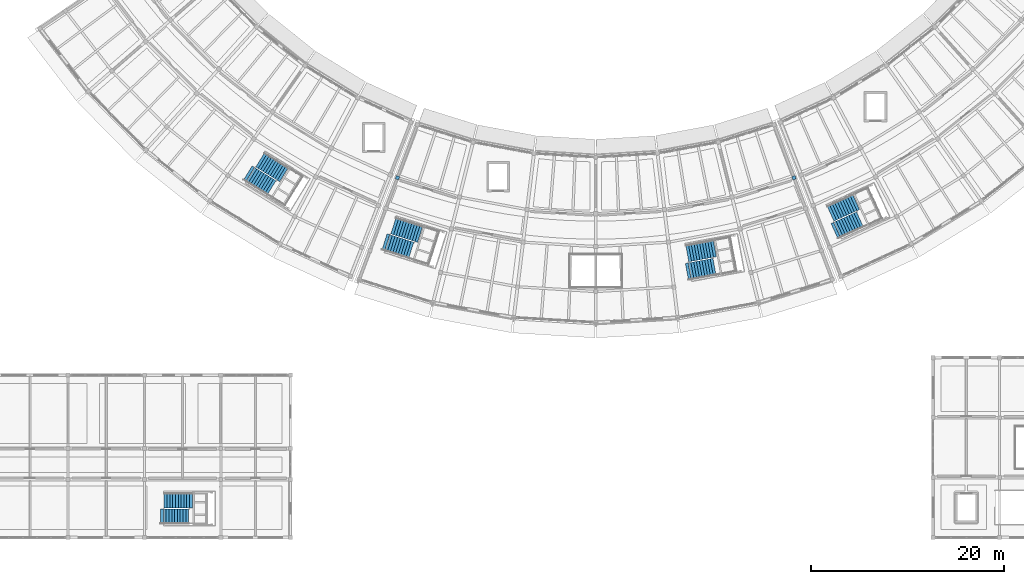
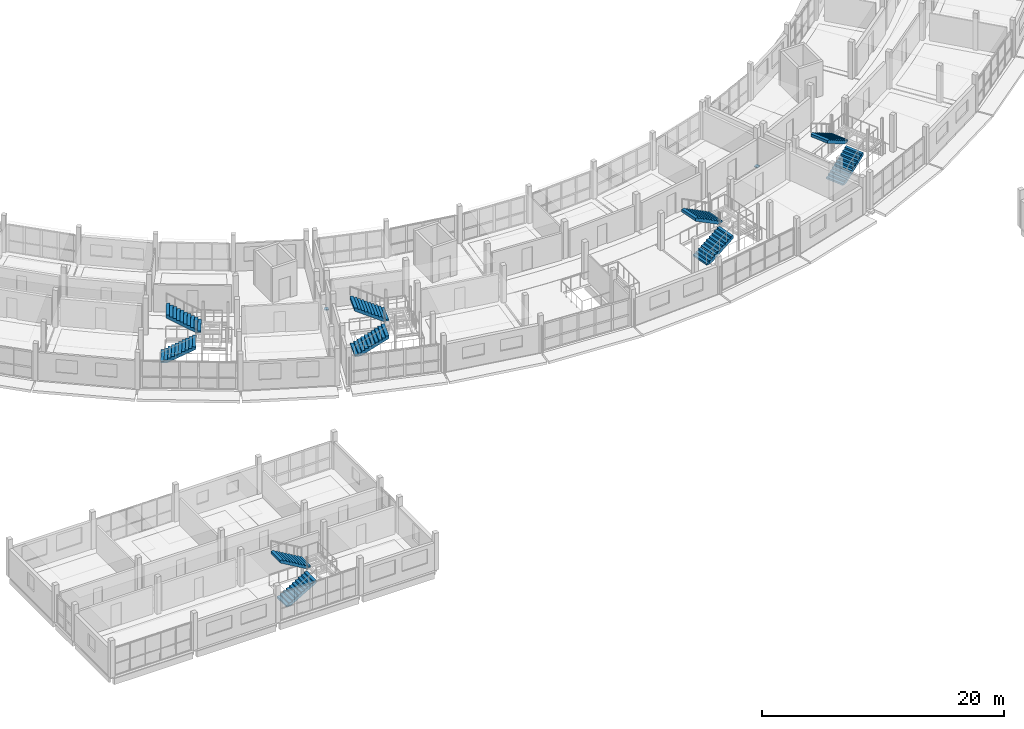
# One storey, part 64 of 77: 10 stair flights, 2 discrete accessories, 5 elements without a shape of their own.
"""IFC4 building model written with IfcOpenShell, lengths in metres."""

from ifc_helpers import new_model, si_unit, direction, frame, origin, origin_2d, place, context, subcontext, project, spatial, polyline, rectangle, outline, extrude, material, type_object, element, aggregate, save


model = new_model("IFC4")

# Units and contexts
model_context = context("Model", 3, precision=1e-05, world=origin(), true_north=direction((0.0, 1.0)))
body_context = subcontext(model_context, "Body", "Model", "MODEL_VIEW")
ifc_project = project(units=[si_unit("LENGTHUNIT", "METRE"), si_unit("AREAUNIT", "SQUARE_METRE"), si_unit("VOLUMEUNIT", "CUBIC_METRE"), si_unit("PLANEANGLEUNIT", "RADIAN"), si_unit("MASSUNIT", "GRAM", prefix="KILO")], contexts=[model_context])

# Site, building, storey
site_placement = place(None, origin())
site = spatial("IfcSite", under=ifc_project, at=site_placement, CompositionType="ELEMENT")
building_placement = place(site_placement, origin())
building = spatial("IfcBuilding", under=site, at=building_placement, Name="Caldaven Crescent School", CompositionType="ELEMENT")
storey_placement = place(building_placement, frame((0.0, 0.0, 4.419921875)))
storey = spatial("IfcBuildingStorey", under=building, at=storey_placement, Name="L01", CompositionType="ELEMENT", Elevation=4.419921875)

# Stair, stair flights
ifc_material_1 = material(Name="Precast concrete C30/37", Category="concrete")
stair_type_1 = type_object("IfcStairType", Name="STR-S3", PredefinedType="TWO_STRAIGHT_RUN_STAIR", material=ifc_material_1)
stair_1_placement = place(storey_placement, origin())
stair_1 = element("IfcStair", 1, at=stair_1_placement, inside=storey, type_object=stair_type_1, Name="STAIR-STV4S-L01", PredefinedType="TWO_STRAIGHT_RUN_STAIR")
stair_flight_type_1 = type_object("IfcStairFlightType", Name="STF-F3", PredefinedType="STRAIGHT", material=ifc_material_1)
stair_flight_1_placement = place(storey_placement, frame((42.969970703125, 6.375, 0.0), z_axis=(0.0, 0.0, 1.0), x_axis=(1.0, 0.0, 0.0)))
stair_flight_1 = element("IfcStairFlight", 2, at=stair_flight_1_placement, type_object=stair_flight_type_1, Name="STV4S-L01 flight 1", NumberOfRisers=11, NumberOfTreads=10, PredefinedType="STRAIGHT", RiserHeight=0.17, TreadLength=0.29, context=body_context, shape_type="SweptSolid", body=[
    extrude(outline(polyline([(0.0, 0.0), (0.0, 0.169921875), (0.2900390625, 0.169921875), (0.2900390625, 0.340087890625), (0.580078125, 0.340087890625), (0.580078125, 0.510009765625), (0.8701171875, 0.510009765625), (0.8701171875, 0.679931640625), (1.159912109375, 0.679931640625), (1.159912109375, 0.85009765625), (1.449951171875, 0.85009765625), (1.449951171875, 1.02001953125), (1.739990234375, 1.02001953125), (1.739990234375, 1.18994140625), (2.030029296875, 1.18994140625), (2.030029296875, 1.360107421875), (2.320068359375, 1.360107421875), (2.320068359375, 1.530029296875), (2.610107421875, 1.530029296875), (2.610107421875, 1.699951171875), (2.89990234375, 1.699951171875), (2.89990234375, 1.8701171875), (2.89990234375, 1.440185546875), (0.443115234375, 0.0), (0.0, 0.0)])), frame((0.0, 0.77490234375, 0.0), z_axis=(0.0, -1.0, 0.0), x_axis=(1.0, 0.0, 0.0)), (0.0, 0.0, 1.0), 1.550048828125),
])
stair_flight_2_placement = place(storey_placement, frame((46.25, 8.02490234375, 1.8701171875), z_axis=(0.0, 0.0, 1.0), x_axis=(-1.0, 0.0, 0.0)))
stair_flight_2 = element("IfcStairFlight", 3, at=stair_flight_2_placement, type_object=stair_flight_type_1, Name="STV4S-L01 flight 2", NumberOfRisers=11, NumberOfTreads=10, PredefinedType="STRAIGHT", RiserHeight=0.17, TreadLength=0.29, context=body_context, shape_type="SweptSolid", body=[
    extrude(outline(polyline([(0.0, 0.0), (0.0, 0.169921875), (0.2900390625, 0.169921875), (0.2900390625, 0.340087890625), (0.580078125, 0.340087890625), (0.580078125, 0.510009765625), (0.8701171875, 0.510009765625), (0.8701171875, 0.679931640625), (1.159912109375, 0.679931640625), (1.159912109375, 0.85009765625), (1.449951171875, 0.85009765625), (1.449951171875, 1.02001953125), (1.739990234375, 1.02001953125), (1.739990234375, 1.18994140625), (2.030029296875, 1.18994140625), (2.030029296875, 1.360107421875), (2.320068359375, 1.360107421875), (2.320068359375, 1.530029296875), (2.610107421875, 1.530029296875), (2.610107421875, 1.699951171875), (2.89990234375, 1.699951171875), (2.89990234375, 1.8701171875), (2.89990234375, 1.440185546875), (0.443115234375, 0.0), (0.0, 0.0)])), frame((0.0, 0.77490234375, 0.0), z_axis=(0.0, -1.0, 0.0), x_axis=(1.0, 0.0, 0.0)), (0.0, 0.0, 1.0), 1.550048828125),
])
aggregate(stair_1, [stair_flight_1, stair_flight_2])

stair_type_2 = type_object("IfcStairType", Name="STR-S5", PredefinedType="TWO_STRAIGHT_RUN_STAIR", material=ifc_material_1)
stair_2_placement = place(storey_placement, origin())
stair_2 = element("IfcStair", 4, at=stair_2_placement, inside=storey, type_object=stair_type_2, Name="STAIR-ST1-L01", PredefinedType="TWO_STRAIGHT_RUN_STAIR")
stair_flight_type_2 = type_object("IfcStairFlightType", Name="STF-F5", PredefinedType="STRAIGHT", material=ifc_material_1)
stair_flight_3_placement = place(storey_placement, frame((51.99365234375, 41.9130859375, 0.0), z_axis=(0.0, 0.0, 1.0), x_axis=(0.852640164354, -0.522498564716, 0.0)))
stair_flight_3 = element("IfcStairFlight", 5, at=stair_flight_3_placement, type_object=stair_flight_type_2, Name="ST1-L01 flight 1", NumberOfRisers=11, NumberOfTreads=10, PredefinedType="STRAIGHT", RiserHeight=0.17, TreadLength=0.29, context=body_context, shape_type="SweptSolid", body=[
    extrude(outline(polyline([(0.0, 0.0), (0.0, 0.169921875), (0.2900390625, 0.169921875), (0.2900390625, 0.340087890625), (0.580078125, 0.340087890625), (0.580078125, 0.510009765625), (0.8701171875, 0.510009765625), (0.8701171875, 0.679931640625), (1.159912109375, 0.679931640625), (1.159912109375, 0.85009765625), (1.449951171875, 0.85009765625), (1.449951171875, 1.02001953125), (1.739990234375, 1.02001953125), (1.739990234375, 1.18994140625), (2.030029296875, 1.18994140625), (2.030029296875, 1.360107421875), (2.320068359375, 1.360107421875), (2.320068359375, 1.530029296875), (2.610107421875, 1.530029296875), (2.610107421875, 1.699951171875), (2.89990234375, 1.699951171875), (2.89990234375, 1.8701171875), (2.89990234375, 1.421875), (0.474609375, 0.0), (0.0, 0.0)])), frame((0.0, 0.85986328125, 0.0), z_axis=(0.0, -1.0, 0.0), x_axis=(1.0, 0.0, 0.0)), (0.0, 0.0, 1.0), 1.719970703125),
])
stair_flight_4_placement = place(storey_placement, frame((55.7412109375, 41.7509765625, 1.8701171875), z_axis=(0.0, 0.0, 1.0), x_axis=(-0.852640164354, 0.522498564716, 0.0)))
stair_flight_4 = element("IfcStairFlight", 6, at=stair_flight_4_placement, type_object=stair_flight_type_2, Name="ST1-L01 flight 2", NumberOfRisers=11, NumberOfTreads=10, PredefinedType="STRAIGHT", RiserHeight=0.17, TreadLength=0.29, context=body_context, shape_type="SweptSolid", body=[
    extrude(outline(polyline([(0.0, 0.0), (0.0, 0.169921875), (0.2900390625, 0.169921875), (0.2900390625, 0.340087890625), (0.580078125, 0.340087890625), (0.580078125, 0.510009765625), (0.8701171875, 0.510009765625), (0.8701171875, 0.679931640625), (1.159912109375, 0.679931640625), (1.159912109375, 0.85009765625), (1.449951171875, 0.85009765625), (1.449951171875, 1.02001953125), (1.739990234375, 1.02001953125), (1.739990234375, 1.18994140625), (2.030029296875, 1.18994140625), (2.030029296875, 1.360107421875), (2.320068359375, 1.360107421875), (2.320068359375, 1.530029296875), (2.610107421875, 1.530029296875), (2.610107421875, 1.699951171875), (2.89990234375, 1.699951171875), (2.89990234375, 1.8701171875), (2.89990234375, 1.421875), (0.474609375, 0.0), (0.0, 0.0)])), frame((0.0, 0.85986328125, 0.0), z_axis=(0.0, -1.0, 0.0), x_axis=(1.0, 0.0, 0.0)), (0.0, 0.0, 1.0), 1.719970703125),
])
aggregate(stair_2, [stair_flight_3, stair_flight_4])

stair_3_placement = place(storey_placement, origin())
stair_3 = element("IfcStair", 7, at=stair_3_placement, inside=storey, type_object=stair_type_2, Name="STAIR-ST4-L01", PredefinedType="TWO_STRAIGHT_RUN_STAIR")
stair_flight_5_placement = place(storey_placement, frame((112.705810546875, 35.904296875, 0.0), z_axis=(0.0, 0.0, 1.0), x_axis=(0.909961270877, 0.414693242656, 0.0)))
stair_flight_5 = element("IfcStairFlight", 8, at=stair_flight_5_placement, type_object=stair_flight_type_2, Name="ST4-L01 flight 1", NumberOfRisers=11, NumberOfTreads=10, PredefinedType="STRAIGHT", RiserHeight=0.17, TreadLength=0.29, context=body_context, shape_type="SweptSolid", body=[
    extrude(outline(polyline([(0.0, 0.0), (0.0, 0.169921875), (0.2900390625, 0.169921875), (0.2900390625, 0.340087890625), (0.580078125, 0.340087890625), (0.580078125, 0.510009765625), (0.8701171875, 0.510009765625), (0.8701171875, 0.679931640625), (1.159912109375, 0.679931640625), (1.159912109375, 0.85009765625), (1.449951171875, 0.85009765625), (1.449951171875, 1.02001953125), (1.739990234375, 1.02001953125), (1.739990234375, 1.18994140625), (2.030029296875, 1.18994140625), (2.030029296875, 1.360107421875), (2.320068359375, 1.360107421875), (2.320068359375, 1.530029296875), (2.610107421875, 1.530029296875), (2.610107421875, 1.699951171875), (2.89990234375, 1.699951171875), (2.89990234375, 1.8701171875), (2.89990234375, 1.421875), (0.474609375, 0.0), (0.0, 0.0)])), frame((0.0, 0.85986328125, 0.0), z_axis=(0.0, -1.0, 0.0), x_axis=(1.0, 0.0, 0.0)), (0.0, 0.0, 1.0), 1.719970703125),
])
stair_flight_6_placement = place(storey_placement, frame((114.935546875, 38.920654296875, 1.8701171875), z_axis=(0.0, 0.0, 1.0), x_axis=(-0.909961270877, -0.414693242656, 0.0)))
stair_flight_6 = element("IfcStairFlight", 9, at=stair_flight_6_placement, type_object=stair_flight_type_2, Name="ST4-L01 flight 2", NumberOfRisers=11, NumberOfTreads=10, PredefinedType="STRAIGHT", RiserHeight=0.17, TreadLength=0.29, context=body_context, shape_type="SweptSolid", body=[
    extrude(outline(polyline([(0.0, 0.0), (0.0, 0.169921875), (0.2900390625, 0.169921875), (0.2900390625, 0.340087890625), (0.580078125, 0.340087890625), (0.580078125, 0.510009765625), (0.8701171875, 0.510009765625), (0.8701171875, 0.679931640625), (1.159912109375, 0.679931640625), (1.159912109375, 0.85009765625), (1.449951171875, 0.85009765625), (1.449951171875, 1.02001953125), (1.739990234375, 1.02001953125), (1.739990234375, 1.18994140625), (2.030029296875, 1.18994140625), (2.030029296875, 1.360107421875), (2.320068359375, 1.360107421875), (2.320068359375, 1.530029296875), (2.610107421875, 1.530029296875), (2.610107421875, 1.699951171875), (2.89990234375, 1.699951171875), (2.89990234375, 1.8701171875), (2.89990234375, 1.421875), (0.474609375, 0.0), (0.0, 0.0)])), frame((0.0, 0.85986328125, 0.0), z_axis=(0.0, -1.0, 0.0), x_axis=(1.0, 0.0, 0.0)), (0.0, 0.0, 1.0), 1.719970703125),
])
aggregate(stair_3, [stair_flight_5, stair_flight_6])

stair_type_3 = type_object("IfcStairType", Name="STR-S6", PredefinedType="TWO_STRAIGHT_RUN_STAIR", material=ifc_material_1)
stair_4_placement = place(storey_placement, origin())
stair_4 = element("IfcStair", 10, at=stair_4_placement, inside=storey, type_object=stair_type_3, Name="STAIR-ST2-L01", PredefinedType="TWO_STRAIGHT_RUN_STAIR")
stair_flight_type_3 = type_object("IfcStairFlightType", Name="STF-F6", PredefinedType="STRAIGHT", material=ifc_material_1)
stair_flight_7_placement = place(storey_placement, frame((66.14208984375, 34.789794921875, 0.0), z_axis=(0.0, 0.0, 1.0), x_axis=(0.953716950748, -0.300705799504, 0.0)))
stair_flight_7 = element("IfcStairFlight", 11, at=stair_flight_7_placement, type_object=stair_flight_type_3, Name="ST2-L01 flight 1", NumberOfRisers=11, NumberOfTreads=10, PredefinedType="STRAIGHT", RiserHeight=0.17, TreadLength=0.29, context=body_context, shape_type="SweptSolid", body=[
    extrude(outline(polyline([(0.0, 0.0), (0.0, 0.169921875), (0.2900390625, 0.169921875), (0.2900390625, 0.340087890625), (0.580078125, 0.340087890625), (0.580078125, 0.510009765625), (0.8701171875, 0.510009765625), (0.8701171875, 0.679931640625), (1.159912109375, 0.679931640625), (1.159912109375, 0.85009765625), (1.449951171875, 0.85009765625), (1.449951171875, 1.02001953125), (1.739990234375, 1.02001953125), (1.739990234375, 1.18994140625), (2.030029296875, 1.18994140625), (2.030029296875, 1.360107421875), (2.320068359375, 1.360107421875), (2.320068359375, 1.530029296875), (2.610107421875, 1.530029296875), (2.610107421875, 1.699951171875), (2.89990234375, 1.699951171875), (2.89990234375, 1.8701171875), (2.89990234375, 1.412353515625), (0.490478515625, 0.0), (0.0, 0.0)])), frame((0.0, 0.8798828125, 0.0), z_axis=(0.0, -1.0, 0.0), x_axis=(1.0, 0.0, 0.0)), (0.0, 0.0, 1.0), 1.760009765625),
])
stair_flight_8_placement = place(storey_placement, frame((69.82958984375, 35.577392578125, 1.8701171875), z_axis=(0.0, 0.0, 1.0), x_axis=(-0.953716950748, 0.300705799504, 0.0)))
stair_flight_8 = element("IfcStairFlight", 12, at=stair_flight_8_placement, type_object=stair_flight_type_3, Name="ST2-L01 flight 2", NumberOfRisers=11, NumberOfTreads=10, PredefinedType="STRAIGHT", RiserHeight=0.17, TreadLength=0.29, context=body_context, shape_type="SweptSolid", body=[
    extrude(outline(polyline([(0.0, 0.0), (0.0, 0.169921875), (0.2900390625, 0.169921875), (0.2900390625, 0.340087890625), (0.580078125, 0.340087890625), (0.580078125, 0.510009765625), (0.8701171875, 0.510009765625), (0.8701171875, 0.679931640625), (1.159912109375, 0.679931640625), (1.159912109375, 0.85009765625), (1.449951171875, 0.85009765625), (1.449951171875, 1.02001953125), (1.739990234375, 1.02001953125), (1.739990234375, 1.18994140625), (2.030029296875, 1.18994140625), (2.030029296875, 1.360107421875), (2.320068359375, 1.360107421875), (2.320068359375, 1.530029296875), (2.610107421875, 1.530029296875), (2.610107421875, 1.699951171875), (2.89990234375, 1.699951171875), (2.89990234375, 1.8701171875), (2.89990234375, 1.412353515625), (0.490478515625, 0.0), (0.0, 0.0)])), frame((0.0, 0.8798828125, 0.0), z_axis=(0.0, -1.0, 0.0), x_axis=(1.0, 0.0, 0.0)), (0.0, 0.0, 1.0), 1.760009765625),
])
aggregate(stair_4, [stair_flight_7, stair_flight_8])

stair_5_placement = place(storey_placement, origin())
stair_5 = element("IfcStair", 13, at=stair_5_placement, inside=storey, type_object=stair_type_3, Name="STAIR-ST3-L01", PredefinedType="TWO_STRAIGHT_RUN_STAIR")
stair_flight_9_placement = place(storey_placement, frame((97.43701171875, 31.69287109375, 0.0), z_axis=(0.0, 0.0, 1.0), x_axis=(0.983254907564, 0.182235525492, 0.0)))
stair_flight_9 = element("IfcStairFlight", 14, at=stair_flight_9_placement, type_object=stair_flight_type_3, Name="ST3-L01 flight 1", NumberOfRisers=11, NumberOfTreads=10, PredefinedType="STRAIGHT", RiserHeight=0.17, TreadLength=0.29, context=body_context, shape_type="SweptSolid", body=[
    extrude(outline(polyline([(0.0, 0.0), (0.0, 0.169921875), (0.2900390625, 0.169921875), (0.2900390625, 0.340087890625), (0.580078125, 0.340087890625), (0.580078125, 0.510009765625), (0.8701171875, 0.510009765625), (0.8701171875, 0.679931640625), (1.159912109375, 0.679931640625), (1.159912109375, 0.85009765625), (1.449951171875, 0.85009765625), (1.449951171875, 1.02001953125), (1.739990234375, 1.02001953125), (1.739990234375, 1.18994140625), (2.030029296875, 1.18994140625), (2.030029296875, 1.360107421875), (2.320068359375, 1.360107421875), (2.320068359375, 1.530029296875), (2.610107421875, 1.530029296875), (2.610107421875, 1.699951171875), (2.89990234375, 1.699951171875), (2.89990234375, 1.8701171875), (2.89990234375, 1.412353515625), (0.490478515625, 0.0), (0.0, 0.0)])), frame((0.0, 0.8798828125, 0.0), z_axis=(0.0, -1.0, 0.0), x_axis=(1.0, 0.0, 0.0)), (0.0, 0.0, 1.0), 1.760009765625),
])
stair_flight_10_placement = place(storey_placement, frame((100.3232421875, 34.11962890625, 1.8701171875), z_axis=(0.0, 0.0, 1.0), x_axis=(-0.983254907564, -0.182235525492, 0.0)))
stair_flight_10 = element("IfcStairFlight", 15, at=stair_flight_10_placement, type_object=stair_flight_type_3, Name="ST3-L01 flight 2", NumberOfRisers=11, NumberOfTreads=10, PredefinedType="STRAIGHT", RiserHeight=0.17, TreadLength=0.29, context=body_context, shape_type="SweptSolid", body=[
    extrude(outline(polyline([(0.0, 0.0), (0.0, 0.169921875), (0.2900390625, 0.169921875), (0.2900390625, 0.340087890625), (0.580078125, 0.340087890625), (0.580078125, 0.510009765625), (0.8701171875, 0.510009765625), (0.8701171875, 0.679931640625), (1.159912109375, 0.679931640625), (1.159912109375, 0.85009765625), (1.449951171875, 0.85009765625), (1.449951171875, 1.02001953125), (1.739990234375, 1.02001953125), (1.739990234375, 1.18994140625), (2.030029296875, 1.18994140625), (2.030029296875, 1.360107421875), (2.320068359375, 1.360107421875), (2.320068359375, 1.530029296875), (2.610107421875, 1.530029296875), (2.610107421875, 1.699951171875), (2.89990234375, 1.699951171875), (2.89990234375, 1.8701171875), (2.89990234375, 1.412353515625), (0.490478515625, 0.0), (0.0, 0.0)])), frame((0.0, 0.8798828125, 0.0), z_axis=(0.0, -1.0, 0.0), x_axis=(1.0, 0.0, 0.0)), (0.0, 0.0, 1.0), 1.760009765625),
])
aggregate(stair_5, [stair_flight_9, stair_flight_10])

# Discrete accessories
ifc_material_2 = material(Name="Steel ASTM A572 Grade 50", Category="steel")
discrete_accessory_type = type_object("IfcDiscreteAccessoryType", Name="ACC-SB1", PredefinedType="BRACKET", material=ifc_material_2)
for number, where, z_axis, x_axis, name in (
    (16, (67.482421875, 41.4296875, -0.300048828125), (0.0, 0.0, 1.0), (-0.352005016254, -0.93599811353, 0.0), "SB-L01-W"),
    (17, (108.517578125, 41.4296875, -0.300048828125), (0.0, 0.0, 1.0), (0.352005016254, -0.93599811353, 0.0), "SB-L01-E"),
):
    element("IfcDiscreteAccessory", number, at=place(storey_placement, frame(where, z_axis=z_axis, x_axis=x_axis)), inside=storey, type_object=discrete_accessory_type, Name=name, PredefinedType="BRACKET", context=body_context, shape_type="SweptSolid", body=[
        extrude(rectangle(XDim=0.360107421875, YDim=0.360107421875, at=origin_2d()), origin(), (0.0, 0.0, 1.0), 0.080078125),
    ])

save(model, "model.ifc")
